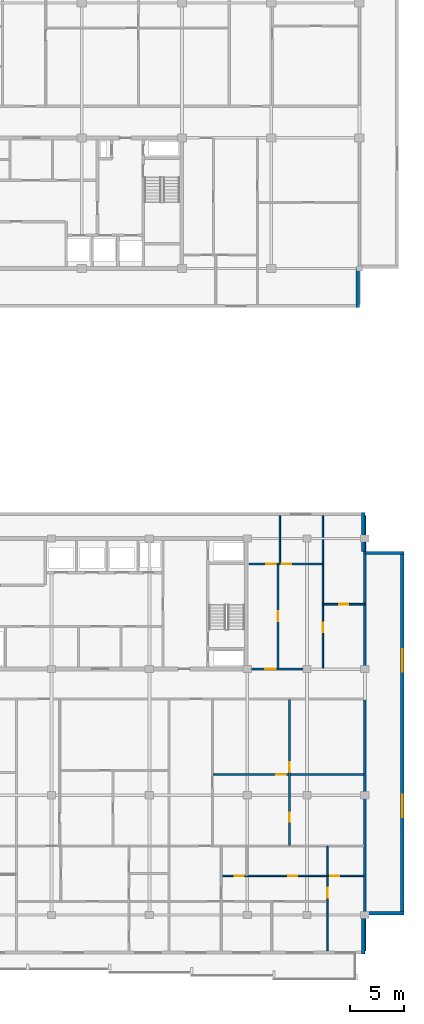
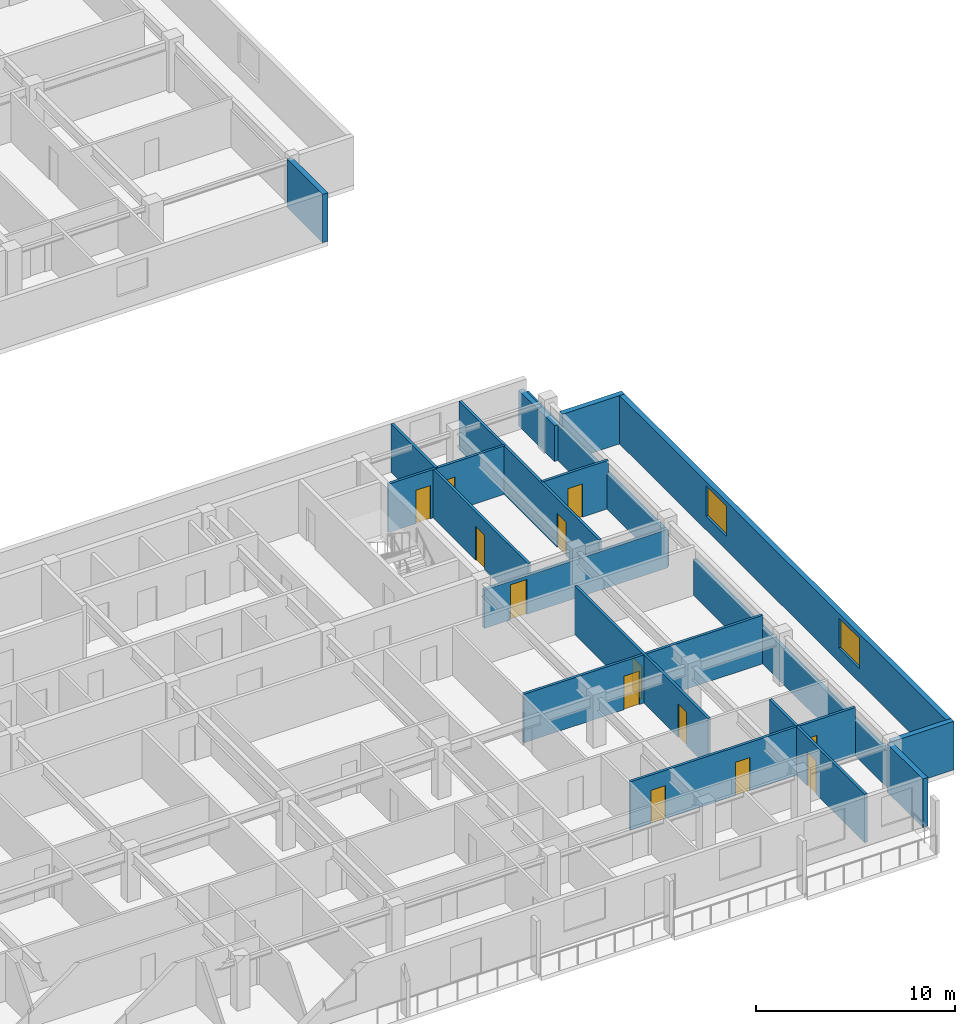
# One storey, part 10 of 22: 19 walls, 13 doors, 2 windows, 15 openings.
"""IFC4 building model written with IfcOpenShell, lengths in metres."""

from ifc_helpers import new_model, si_unit, direction, frame, frame_2d, origin, place, context, subcontext, project, spatial, rectangle, extrude, material, layer, layer_set, type_object, element, fill, save


model = new_model("IFC4")

# Units and contexts
model_context = context("Model", 3, precision=1e-05, world=origin(), true_north=direction((0.0, 1.0)))
body_context = subcontext(model_context, "Body", "Model", "MODEL_VIEW")
ifc_project = project(units=[si_unit("LENGTHUNIT", "METRE"), si_unit("AREAUNIT", "SQUARE_METRE"), si_unit("VOLUMEUNIT", "CUBIC_METRE"), si_unit("PLANEANGLEUNIT", "RADIAN"), si_unit("MASSUNIT", "GRAM", prefix="KILO")], contexts=[model_context])

# Site, building, storey
site_placement = place(None, origin())
site = spatial("IfcSite", under=ifc_project, at=site_placement, CompositionType="ELEMENT")
building_placement = place(site_placement, origin())
building = spatial("IfcBuilding", under=site, at=building_placement, Name="Korimba Cascade Residences", CompositionType="ELEMENT")
storey_placement = place(building_placement, frame((0.0, 0.0, 194.60009765625)))
storey = spatial("IfcBuildingStorey", under=building, at=storey_placement, Name="L56", CompositionType="ELEMENT", Elevation=194.60009765625)

# Walls
ifc_material_1 = material(Name="Precast concrete C40/50", Category="concrete")
ifc_layer_1 = layer(ifc_material_1, 0.300048828125)
ifc_layer_set_1 = layer_set([ifc_layer_1], Name="Precast concrete C40/50")
wall_type_1 = type_object("IfcWallType", Name="EW-STONE-300", PredefinedType="STANDARD", material=ifc_layer_set_1)
wall_1_placement = place(storey_placement, frame((128.25, 51.60009765625, 0.0), z_axis=(0.0, 0.0, 1.0), x_axis=(0.0, 1.0, 0.0)))
element("IfcWall", 1, at=wall_1_placement, inside=storey, type_object=wall_type_1, Name="L56 T1 Perimeter Stone Wall E01", PredefinedType="STANDARD", context=body_context, shape_type="SweptSolid", body=[
    extrude(rectangle(XDim=3.599853515625, YDim=0.300048828125, at=frame_2d((1.7998046875, 0.0))), origin(), (0.0, 0.0, 1.0), 2.969970703125),
])
for number, where, z_axis, x_axis, name in (
    (2, (128.75, -7.800048828125, 0.0), (0.0, 0.0, 1.0), (0.0, 1.0, 0.0), "L56 T2 Perimeter Stone Wall E01"),
    (3, (128.89990234375, -4.050048828125, 0.0), (0.0, 0.0, 1.0), (1.0, 0.0, 0.0), "L56 T2 Perimeter Stone Wall E02"),
):
    element("IfcWall", number, at=place(storey_placement, frame(where, z_axis=z_axis, x_axis=x_axis)), inside=storey, type_object=wall_type_1, Name=name, PredefinedType="STANDARD", context=body_context, shape_type="SweptSolid", body=[
        extrude(rectangle(XDim=3.60009765625, YDim=0.300048828125, at=frame_2d((1.800048828125, 0.0))), origin(), (0.0, 0.0, 1.0), 2.969970703125),
    ])

# Wall, openings, windows
wall_2_placement = place(storey_placement, frame((132.35009765625, -4.199951171875, 0.0), z_axis=(0.0, 0.0, 1.0), x_axis=(0.0, 1.0, 0.0)))
wall_2 = element("IfcWall", 4, at=wall_2_placement, inside=storey, type_object=wall_type_1, Name="L56 T2 Perimeter Stone Wall E03", PredefinedType="STANDARD", context=body_context, shape_type="SweptSolid", body=[
    extrude(rectangle(XDim=33.39990234375, YDim=0.300048828125, at=frame_2d((16.699951171875, 0.0))), origin(), (0.0, 0.0, 1.0), 2.969970703125),
])
opening_1_placement = place(wall_2_placement, frame((8.969970703125, 0.0, 0.85009765625)))
opening_1 = element("IfcOpeningElement", 5, at=opening_1_placement, cuts=wall_2, Name="Opening W-03", PredefinedType="OPENING", context=body_context, shape_type="SweptSolid", body=[
    extrude(rectangle(XDim=2.10009765625, YDim=1.85009765625, at=frame_2d((1.050048828125, 0.925048828125))), frame((0.0, 0.16015625, 0.0), z_axis=(0.0, -1.0, 0.0), x_axis=(1.0, 0.0, 0.0)), (0.0, 0.0, 1.0), 0.320068359375),
])
opening_2_placement = place(wall_2_placement, frame((22.330078125, 0.0, 0.85009765625)))
opening_2 = element("IfcOpeningElement", 6, at=opening_2_placement, cuts=wall_2, Name="Opening W-03", PredefinedType="OPENING", context=body_context, shape_type="SweptSolid", body=[
    extrude(rectangle(XDim=2.10009765625, YDim=1.85009765625, at=frame_2d((1.050048828125, 0.925048828125))), frame((0.0, 0.16015625, 0.0), z_axis=(0.0, -1.0, 0.0), x_axis=(1.0, 0.0, 0.0)), (0.0, 0.0, 1.0), 0.320068359375),
])
ifc_material_2 = material(Name="Double-Glazed Aluminium Window", Category="aluminium")
window_type = type_object("IfcWindowType", Name="WIN-CRN-2100", PartitioningType="DOUBLE_PANEL_HORIZONTAL", PredefinedType="WINDOW", material=ifc_material_2)
window_1_placement = place(opening_1_placement, origin())
window_1 = element("IfcWindow", 7, at=window_1_placement, inside=storey, type_object=window_type, Name="L56 T2 End View Window 3.1", OverallHeight=1.85009765625, OverallWidth=2.10009765625, PartitioningType="DOUBLE_PANEL_HORIZONTAL", PredefinedType="WINDOW", context=body_context, shape_type="SweptSolid", body=[
    extrude(rectangle(XDim=2.10009765625, YDim=1.85009765625, at=frame_2d((1.050048828125, 0.925048828125))), frame((0.0, 0.030029296875, 0.0), z_axis=(0.0, -1.0, 0.0), x_axis=(1.0, 0.0, 0.0)), (0.0, 0.0, 1.0), 0.06005859375),
])
fill(opening_1, window_1)
window_2_placement = place(opening_2_placement, origin())
window_2 = element("IfcWindow", 8, at=window_2_placement, inside=storey, type_object=window_type, Name="L56 T2 End View Window 3.2", OverallHeight=1.85009765625, OverallWidth=2.10009765625, PartitioningType="DOUBLE_PANEL_HORIZONTAL", PredefinedType="WINDOW", context=body_context, shape_type="SweptSolid", body=[
    extrude(rectangle(XDim=2.10009765625, YDim=1.85009765625, at=frame_2d((1.050048828125, 0.925048828125))), frame((0.0, 0.030029296875, 0.0), z_axis=(0.0, -1.0, 0.0), x_axis=(1.0, 0.0, 0.0)), (0.0, 0.0, 1.0), 0.06005859375),
])
fill(opening_2, window_2)

# Walls
wall_3_placement = place(storey_placement, frame((132.5, 29.050048828125, 0.0), z_axis=(0.0, 0.0, 1.0), x_axis=(-1.0, 0.0, 0.0)))
element("IfcWall", 9, at=wall_3_placement, inside=storey, type_object=wall_type_1, Name="L56 T2 Perimeter Stone Wall E04", PredefinedType="STANDARD", context=body_context, shape_type="SweptSolid", body=[
    extrude(rectangle(XDim=3.60009765625, YDim=0.300048828125, at=frame_2d((1.800048828125, 0.0))), origin(), (0.0, 0.0, 1.0), 2.969970703125),
])
wall_4_placement = place(storey_placement, frame((128.75, 29.199951171875, 0.0), z_axis=(0.0, 0.0, 1.0), x_axis=(0.0, 1.0, 0.0)))
element("IfcWall", 10, at=wall_4_placement, inside=storey, type_object=wall_type_1, Name="L56 T2 Perimeter Stone Wall E05", PredefinedType="STANDARD", context=body_context, shape_type="SweptSolid", body=[
    extrude(rectangle(XDim=3.60009765625, YDim=0.300048828125, at=frame_2d((1.800048828125, 0.0))), origin(), (0.0, 0.0, 1.0), 2.2001953125),
])
ifc_layer_2 = layer(ifc_material_1, 0.199951171875)
ifc_layer_set_2 = layer_set([ifc_layer_2], Name="Precast concrete C40/50")
wall_type_2 = type_object("IfcWallType", Name="WAL-IT-200", PredefinedType="PARTITIONING", material=ifc_layer_set_2)
wall_5_placement = place(storey_placement, frame((128.89990234375, 18.39990234375, 0.0), z_axis=(0.0, 0.0, 1.0), x_axis=(0.0, 1.0, 0.0)))
element("IfcWall", 11, at=wall_5_placement, inside=storey, type_object=wall_type_2, Name="L56 Partition Wall WAL-L56-T2-FE-WR", PredefinedType="PARTITIONING", context=body_context, shape_type="SweptSolid", body=[
    extrude(rectangle(XDim=14.10009765625, YDim=0.199951171875, at=frame_2d((7.050048828125, 0.0))), origin(), (0.0, 0.0, 1.0), 2.2001953125),
])

# Wall, opening, door
wall_6_placement = place(storey_placement, frame((118.25, 18.39990234375, 0.0), z_axis=(0.0, 0.0, 1.0), x_axis=(1.0, 0.0, 0.0)))
wall_6 = element("IfcWall", 12, at=wall_6_placement, inside=storey, type_object=wall_type_2, Name="L56 Partition Wall WAL-L56-T2-FE-S", PredefinedType="PARTITIONING", context=body_context, shape_type="SweptSolid", body=[
    extrude(rectangle(XDim=10.64990234375, YDim=0.199951171875, at=frame_2d((5.324951171875, 0.0))), origin(), (0.0, 0.0, 1.0), 2.357666015625),
])
opening_3_placement = place(wall_6_placement, frame((1.510009765625, 0.0, 0.0)))
opening_3 = element("IfcOpeningElement", 13, at=opening_3_placement, cuts=wall_6, Name="Opening D-UN1", PredefinedType="OPENING", context=body_context, shape_type="SweptSolid", body=[
    extrude(rectangle(XDim=0.949951171875, YDim=2.14990234375, at=frame_2d((0.47509765625, 1.074951171875))), frame((0.0, 0.10986328125, 0.0), z_axis=(0.0, -1.0, 0.0), x_axis=(1.0, 0.0, 0.0)), (0.0, 0.0, 1.0), 0.219970703125),
])
ifc_material_3 = material(Name="Fire-Rated Hardwood Apartment Entrance Door", Category="wood")
door_type_1 = type_object("IfcDoorType", Name="DR-FD60-950", OperationType="NOTDEFINED", PredefinedType="DOOR", material=ifc_material_3)
door_1_placement = place(opening_3_placement, origin())
door_1 = element("IfcDoor", 14, at=door_1_placement, inside=storey, type_object=door_type_1, Name="L56-T2-FE Entrance Door", OperationType="SINGLE_SWING_RIGHT", OverallHeight=2.14990234375, OverallWidth=0.949951171875, PredefinedType="DOOR", context=body_context, shape_type="SweptSolid", body=[
    extrude(rectangle(XDim=0.949951171875, YDim=2.14990234375, at=frame_2d((0.47509765625, 1.074951171875))), frame((0.0, 0.02490234375, 0.0), z_axis=(0.0, -1.0, 0.0), x_axis=(1.0, 0.0, 0.0)), (0.0, 0.0, 1.0), 0.050048828125),
])
fill(opening_3, door_1)

# Wall
wall_7_placement = place(storey_placement, frame((128.89990234375, -7.5, 0.0), z_axis=(0.0, 0.0, 1.0), x_axis=(0.0, 1.0, 0.0)))
element("IfcWall", 15, at=wall_7_placement, inside=storey, type_object=wall_type_2, Name="L56 Partition Wall WAL-L56-T2-BNDWR", PredefinedType="PARTITIONING", context=body_context, shape_type="SweptSolid", body=[
    extrude(rectangle(XDim=23.070068359375, YDim=0.199951171875, at=frame_2d((11.53515625, 0.0))), origin(), (0.0, 0.0, 1.0), 2.2001953125),
])

# Wall, opening, door
ifc_material_4 = material(Name="Insulated Acoustic Stud Partition", Category="gypsum")
ifc_layer_3 = layer(ifc_material_4, 0.14990234375)
ifc_layer_set_3 = layer_set([ifc_layer_3], Name="Insulated Acoustic Stud Partition")
wall_type_3 = type_object("IfcWallType", Name="WAL-PART-150", PredefinedType="PARTITIONING", material=ifc_layer_set_3)
wall_8_placement = place(storey_placement, frame((125.050048828125, 24.35009765625, 0.0), z_axis=(0.0, 0.0, 1.0), x_axis=(1.0, 0.0, 0.0)))
wall_8 = element("IfcWall", 16, at=wall_8_placement, inside=storey, type_object=wall_type_3, Name="L56 Partition Wall WAL-L56-T2-FE-STH", PredefinedType="PARTITIONING", context=body_context, shape_type="SweptSolid", body=[
    extrude(rectangle(XDim=3.849853515625, YDim=0.14990234375, at=frame_2d((1.9248046875, 0.0))), origin(), (0.0, 0.0, 1.0), 2.969970703125),
])
opening_4_placement = place(wall_8_placement, frame((1.5048828125, 0.0, 0.0)))
opening_4 = element("IfcOpeningElement", 17, at=opening_4_placement, cuts=wall_8, Name="Opening D-BT1", PredefinedType="OPENING", context=body_context, shape_type="SweptSolid", body=[
    extrude(rectangle(XDim=0.840087890625, YDim=2.0400390625, at=frame_2d((0.419921875, 1.02001953125))), frame((0.0, 0.0849609375, 0.0), z_axis=(0.0, -1.0, 0.0), x_axis=(1.0, 0.0, 0.0)), (0.0, 0.0, 1.0), 0.169921875),
])
ifc_material_5 = material(Name="Moisture-Resistant Bathroom Timber Door", Category="wood")
door_type_2 = type_object("IfcDoorType", Name="DR-INT-850", OperationType="NOTDEFINED", PredefinedType="DOOR", material=ifc_material_5)
door_2_placement = place(opening_4_placement, origin())
door_2 = element("IfcDoor", 18, at=door_2_placement, inside=storey, type_object=door_type_2, Name="L56-T2-FE Dressing Store Door", OperationType="SINGLE_SWING_LEFT", OverallHeight=2.0400390625, OverallWidth=0.840087890625, PredefinedType="DOOR", context=body_context, shape_type="SweptSolid", body=[
    extrude(rectangle(XDim=0.840087890625, YDim=2.0400390625, at=frame_2d((0.419921875, 1.02001953125))), frame((0.0, 0.02490234375, 0.0), z_axis=(0.0, -1.0, 0.0), x_axis=(1.0, 0.0, 0.0)), (0.0, 0.0, 1.0), 0.050048828125),
])
fill(opening_4, door_2)

wall_9_placement = place(storey_placement, frame((125.050048828125, 18.449951171875, 0.0), z_axis=(0.0, 0.0, 1.0), x_axis=(0.0, 1.0, 0.0)))
wall_9 = element("IfcWall", 19, at=wall_9_placement, inside=storey, type_object=wall_type_3, Name="L56 Partition Wall WAL-L56-T2-FE-STV", PredefinedType="PARTITIONING", context=body_context, shape_type="SweptSolid", body=[
    extrude(rectangle(XDim=14.050048828125, YDim=0.14990234375, at=frame_2d((7.02490234375, 0.0))), origin(), (0.0, 0.0, 1.0), 2.969970703125),
])
opening_5_placement = place(wall_9_placement, frame((3.320068359375, 0.0, 0.0)))
opening_5 = element("IfcOpeningElement", 20, at=opening_5_placement, cuts=wall_9, Name="Opening D-IN2", PredefinedType="OPENING", context=body_context, shape_type="SweptSolid", body=[
    extrude(rectangle(XDim=0.8798828125, YDim=2.06005859375, at=frame_2d((0.43994140625, 1.030029296875))), frame((0.0, 0.0849609375, 0.0), z_axis=(0.0, -1.0, 0.0), x_axis=(1.0, 0.0, 0.0)), (0.0, 0.0, 1.0), 0.169921875),
])
ifc_material_6 = material(Name="Acoustic Timber Bedroom Door", Category="wood")
door_type_3 = type_object("IfcDoorType", Name="DR-INT-880", OperationType="NOTDEFINED", PredefinedType="DOOR", material=ifc_material_6)
door_3_placement = place(opening_5_placement, origin())
door_3 = element("IfcDoor", 21, at=door_3_placement, inside=storey, type_object=door_type_3, Name="L56-T2-FE Study Door", OperationType="SINGLE_SWING_RIGHT", OverallHeight=2.06005859375, OverallWidth=0.8798828125, PredefinedType="DOOR", context=body_context, shape_type="SweptSolid", body=[
    extrude(rectangle(XDim=0.8798828125, YDim=2.06005859375, at=frame_2d((0.43994140625, 1.030029296875))), frame((0.0, 0.02490234375, 0.0), z_axis=(0.0, -1.0, 0.0), x_axis=(1.0, 0.0, 0.0)), (0.0, 0.0, 1.0), 0.050048828125),
])
fill(opening_5, door_3)

wall_10_placement = place(storey_placement, frame((120.929931640625, 18.449951171875, 0.0), z_axis=(0.0, 0.0, 1.0), x_axis=(0.0, 1.0, 0.0)))
wall_10 = element("IfcWall", 22, at=wall_10_placement, inside=storey, type_object=wall_type_3, Name="L56 Partition Wall WAL-L56-T2-FE-VS", PredefinedType="PARTITIONING", context=body_context, shape_type="SweptSolid", body=[
    extrude(rectangle(XDim=9.60009765625, YDim=0.14990234375, at=frame_2d((4.800048828125, 0.0))), origin(), (0.0, 0.0, 1.0), 2.969970703125),
])
opening_6_placement = place(wall_10_placement, frame((4.340087890625, 0.0, 0.0)))
opening_6 = element("IfcOpeningElement", 23, at=opening_6_placement, cuts=wall_10, Name="Opening D-IN1", PredefinedType="OPENING", context=body_context, shape_type="SweptSolid", body=[
    extrude(rectangle(XDim=0.919921875, YDim=2.080078125, at=frame_2d((0.4599609375, 1.0400390625))), frame((0.0, 0.0849609375, 0.0), z_axis=(0.0, -1.0, 0.0), x_axis=(1.0, 0.0, 0.0)), (0.0, 0.0, 1.0), 0.169921875),
])
ifc_material_7 = material(Name="Acoustic Timber Living Door", Category="wood")
door_type_4 = type_object("IfcDoorType", Name="DR-INT-920", OperationType="NOTDEFINED", PredefinedType="DOOR", material=ifc_material_7)
door_4_placement = place(opening_6_placement, origin())
door_4 = element("IfcDoor", 24, at=door_4_placement, inside=storey, type_object=door_type_4, Name="L56-T2-FE Living Door", OperationType="SINGLE_SWING_LEFT", OverallHeight=2.080078125, OverallWidth=0.919921875, PredefinedType="DOOR", context=body_context, shape_type="SweptSolid", body=[
    extrude(rectangle(XDim=0.919921875, YDim=2.080078125, at=frame_2d((0.4599609375, 1.0400390625))), frame((0.0, 0.02490234375, 0.0), z_axis=(0.0, -1.0, 0.0), x_axis=(1.0, 0.0, 0.0)), (0.0, 0.0, 1.0), 0.050048828125),
])
fill(opening_6, door_4)

# Wall
wall_11_placement = place(storey_placement, frame((121.10009765625, 28.050048828125, 0.0), z_axis=(0.0, 0.0, 1.0), x_axis=(0.0, 1.0, 0.0)))
element("IfcWall", 25, at=wall_11_placement, inside=storey, type_object=wall_type_3, Name="L56 Partition Wall WAL-L56-T2-FE-VN", PredefinedType="PARTITIONING", context=body_context, shape_type="SweptSolid", body=[
    extrude(rectangle(XDim=4.449951171875, YDim=0.14990234375, at=frame_2d((2.22509765625, 0.0))), origin(), (0.0, 0.0, 1.0), 2.969970703125),
])

# Wall, openings, doors
wall_12_placement = place(storey_placement, frame((118.27001953125, 28.050048828125, 0.0), z_axis=(0.0, 0.0, 1.0), x_axis=(1.0, 0.0, 0.0)))
wall_12 = element("IfcWall", 26, at=wall_12_placement, inside=storey, type_object=wall_type_3, Name="L56 Partition Wall WAL-L56-T2-FE-H", PredefinedType="PARTITIONING", context=body_context, shape_type="SweptSolid", body=[
    extrude(rectangle(XDim=6.760009765625, YDim=0.14990234375, at=frame_2d((3.3798828125, 0.0))), origin(), (0.0, 0.0, 1.0), 2.969970703125),
])
opening_7_placement = place(wall_12_placement, frame((1.58740234375, 0.0, 0.0)))
opening_7 = element("IfcOpeningElement", 27, at=opening_7_placement, cuts=wall_12, Name="Opening D-BT1", PredefinedType="OPENING", context=body_context, shape_type="SweptSolid", body=[
    extrude(rectangle(XDim=0.840087890625, YDim=2.0400390625, at=frame_2d((0.419921875, 1.02001953125))), frame((0.0, 0.0849609375, 0.0), z_axis=(0.0, -1.0, 0.0), x_axis=(1.0, 0.0, 0.0)), (0.0, 0.0, 1.0), 0.169921875),
])
opening_8_placement = place(wall_12_placement, frame((2.988037109375, 0.0, 0.0)))
opening_8 = element("IfcOpeningElement", 28, at=opening_8_placement, cuts=wall_12, Name="Opening D-IN2", PredefinedType="OPENING", context=body_context, shape_type="SweptSolid", body=[
    extrude(rectangle(XDim=0.8798828125, YDim=2.06005859375, at=frame_2d((0.43994140625, 1.030029296875))), frame((0.0, 0.0849609375, 0.0), z_axis=(0.0, -1.0, 0.0), x_axis=(1.0, 0.0, 0.0)), (0.0, 0.0, 1.0), 0.169921875),
])
door_5_placement = place(opening_7_placement, origin())
door_5 = element("IfcDoor", 29, at=door_5_placement, inside=storey, type_object=door_type_2, Name="L56-T2-FE Bathroom Door", OperationType="SINGLE_SWING_RIGHT", OverallHeight=2.0400390625, OverallWidth=0.840087890625, PredefinedType="DOOR", context=body_context, shape_type="SweptSolid", body=[
    extrude(rectangle(XDim=0.840087890625, YDim=2.0400390625, at=frame_2d((0.419921875, 1.02001953125))), frame((0.0, 0.02490234375, 0.0), z_axis=(0.0, -1.0, 0.0), x_axis=(1.0, 0.0, 0.0)), (0.0, 0.0, 1.0), 0.050048828125),
])
fill(opening_7, door_5)
door_6_placement = place(opening_8_placement, origin())
door_6 = element("IfcDoor", 30, at=door_6_placement, inside=storey, type_object=door_type_3, Name="L56-T2-FE Bedroom Door", OperationType="SINGLE_SWING_LEFT", OverallHeight=2.06005859375, OverallWidth=0.8798828125, PredefinedType="DOOR", context=body_context, shape_type="SweptSolid", body=[
    extrude(rectangle(XDim=0.8798828125, YDim=2.06005859375, at=frame_2d((0.43994140625, 1.030029296875))), frame((0.0, 0.02490234375, 0.0), z_axis=(0.0, -1.0, 0.0), x_axis=(1.0, 0.0, 0.0)), (0.0, 0.0, 1.0), 0.050048828125),
])
fill(opening_8, door_6)

wall_13_placement = place(storey_placement, frame((121.985595703125, 2.18994140625, 0.0), z_axis=(0.0, 0.0, 1.0), x_axis=(0.0, 1.0, 0.0)))
wall_13 = element("IfcWall", 31, at=wall_13_placement, inside=storey, type_object=wall_type_3, Name="L56 Partition Wall WAL-L56-T2-U03-FMV", PredefinedType="PARTITIONING", context=body_context, shape_type="SweptSolid", body=[
    extrude(rectangle(XDim=13.400146484375, YDim=0.14990234375, at=frame_2d((6.7001953125, 0.0))), origin(), (0.0, 0.0, 1.0), 2.969970703125),
])
opening_9_placement = place(wall_13_placement, frame((2.1787109375, 0.0, 0.0)))
opening_9 = element("IfcOpeningElement", 32, at=opening_9_placement, cuts=wall_13, Name="Opening D-BT1", PredefinedType="OPENING", context=body_context, shape_type="SweptSolid", body=[
    extrude(rectangle(XDim=0.840087890625, YDim=2.0400390625, at=frame_2d((0.419921875, 1.02001953125))), frame((0.0, 0.0849609375, 0.0), z_axis=(0.0, -1.0, 0.0), x_axis=(1.0, 0.0, 0.0)), (0.0, 0.0, 1.0), 0.169921875),
])
opening_10_placement = place(wall_13_placement, frame((6.77001953125, 0.0, 0.0)))
opening_10 = element("IfcOpeningElement", 33, at=opening_10_placement, cuts=wall_13, Name="Opening D-IN2", PredefinedType="OPENING", context=body_context, shape_type="SweptSolid", body=[
    extrude(rectangle(XDim=0.8798828125, YDim=2.06005859375, at=frame_2d((0.43994140625, 1.030029296875))), frame((0.0, 0.0849609375, 0.0), z_axis=(0.0, -1.0, 0.0), x_axis=(1.0, 0.0, 0.0)), (0.0, 0.0, 1.0), 0.169921875),
])
door_7_placement = place(opening_9_placement, origin())
door_7 = element("IfcDoor", 34, at=door_7_placement, inside=storey, type_object=door_type_2, Name="L56-T2-U03 Wardrobe Door", OperationType="SINGLE_SWING_RIGHT", OverallHeight=2.0400390625, OverallWidth=0.840087890625, PredefinedType="DOOR", context=body_context, shape_type="SweptSolid", body=[
    extrude(rectangle(XDim=0.840087890625, YDim=2.0400390625, at=frame_2d((0.419921875, 1.02001953125))), frame((0.0, 0.02490234375, 0.0), z_axis=(0.0, -1.0, 0.0), x_axis=(1.0, 0.0, 0.0)), (0.0, 0.0, 1.0), 0.050048828125),
])
fill(opening_9, door_7)
door_8_placement = place(opening_10_placement, origin())
door_8 = element("IfcDoor", 35, at=door_8_placement, inside=storey, type_object=door_type_3, Name="L56-T2-U03 Music Lounge Door", OperationType="SINGLE_SWING_LEFT", OverallHeight=2.06005859375, OverallWidth=0.8798828125, PredefinedType="DOOR", context=body_context, shape_type="SweptSolid", body=[
    extrude(rectangle(XDim=0.8798828125, YDim=2.06005859375, at=frame_2d((0.43994140625, 1.030029296875))), frame((0.0, 0.02490234375, 0.0), z_axis=(0.0, -1.0, 0.0), x_axis=(1.0, 0.0, 0.0)), (0.0, 0.0, 1.0), 0.050048828125),
])
fill(opening_10, door_8)

# Wall, opening, door
wall_14_placement = place(storey_placement, frame((114.951416015625, 8.7099609375, 0.0), z_axis=(0.0, 0.0, 1.0), x_axis=(1.0, 0.0, 0.0)))
wall_14 = element("IfcWall", 36, at=wall_14_placement, inside=storey, type_object=wall_type_3, Name="L56 Partition Wall WAL-L56-T2-U03-FMH", PredefinedType="PARTITIONING", context=body_context, shape_type="SweptSolid", body=[
    extrude(rectangle(XDim=13.86865234375, YDim=0.14990234375, at=frame_2d((6.934326171875, 0.0))), origin(), (0.0, 0.0, 1.0), 2.969970703125),
])
opening_11_placement = place(wall_14_placement, frame((5.822509765625, 0.0, 0.0)))
opening_11 = element("IfcOpeningElement", 37, at=opening_11_placement, cuts=wall_14, Name="Opening D-IN2", PredefinedType="OPENING", context=body_context, shape_type="SweptSolid", body=[
    extrude(rectangle(XDim=0.8798828125, YDim=2.06005859375, at=frame_2d((0.43994140625, 1.030029296875))), frame((0.0, 0.0849609375, 0.0), z_axis=(0.0, -1.0, 0.0), x_axis=(1.0, 0.0, 0.0)), (0.0, 0.0, 1.0), 0.169921875),
])
door_9_placement = place(opening_11_placement, origin())
door_9 = element("IfcDoor", 38, at=door_9_placement, inside=storey, type_object=door_type_3, Name="L56-T2-U03 Library Salon Door", OperationType="SINGLE_SWING_RIGHT", OverallHeight=2.06005859375, OverallWidth=0.8798828125, PredefinedType="DOOR", context=body_context, shape_type="SweptSolid", body=[
    extrude(rectangle(XDim=0.8798828125, YDim=2.06005859375, at=frame_2d((0.43994140625, 1.030029296875))), frame((0.0, 0.02490234375, 0.0), z_axis=(0.0, -1.0, 0.0), x_axis=(1.0, 0.0, 0.0)), (0.0, 0.0, 1.0), 0.050048828125),
])
fill(opening_11, door_9)

# Wall
wall_15_placement = place(storey_placement, frame((125.47998046875, -0.580078125, 0.0), z_axis=(0.0, 0.0, 1.0), x_axis=(0.0, 1.0, 0.0)))
element("IfcWall", 39, at=wall_15_placement, inside=storey, type_object=wall_type_3, Name="L56 Partition Wall WAL-L56-T2-U03-VBATH", PredefinedType="PARTITIONING", context=body_context, shape_type="SweptSolid", body=[
    extrude(rectangle(XDim=2.690185546875, YDim=0.14990234375, at=frame_2d((1.34521484375, 0.0))), origin(), (0.0, 0.0, 1.0), 2.969970703125),
])

# Wall, opening, door
wall_16_placement = place(storey_placement, frame((125.47998046875, -7.5, 0.0), z_axis=(0.0, 0.0, 1.0), x_axis=(0.0, 1.0, 0.0)))
wall_16 = element("IfcWall", 40, at=wall_16_placement, inside=storey, type_object=wall_type_3, Name="L56 Partition Wall WAL-L56-T2-U03-V2FULL", PredefinedType="PARTITIONING", context=body_context, shape_type="SweptSolid", body=[
    extrude(rectangle(XDim=6.8798828125, YDim=0.14990234375, at=frame_2d((3.43994140625, 0.0))), origin(), (0.0, 0.0, 1.0), 2.969970703125),
])
opening_12_placement = place(wall_16_placement, frame((4.8701171875, 0.0, 0.0)))
opening_12 = element("IfcOpeningElement", 41, at=opening_12_placement, cuts=wall_16, Name="Opening D-IN1", PredefinedType="OPENING", context=body_context, shape_type="SweptSolid", body=[
    extrude(rectangle(XDim=0.919921875, YDim=2.080078125, at=frame_2d((0.4599609375, 1.0400390625))), frame((0.0, 0.0849609375, 0.0), z_axis=(0.0, -1.0, 0.0), x_axis=(1.0, 0.0, 0.0)), (0.0, 0.0, 1.0), 0.169921875),
])
door_10_placement = place(opening_12_placement, origin())
door_10 = element("IfcDoor", 42, at=door_10_placement, inside=storey, type_object=door_type_4, Name="L56-T2-U03 Master Bedroom Door", OperationType="SINGLE_SWING_LEFT", OverallHeight=2.080078125, OverallWidth=0.919921875, PredefinedType="DOOR", context=body_context, shape_type="SweptSolid", body=[
    extrude(rectangle(XDim=0.919921875, YDim=2.080078125, at=frame_2d((0.4599609375, 1.0400390625))), frame((0.0, 0.02490234375, 0.0), z_axis=(0.0, -1.0, 0.0), x_axis=(1.0, 0.0, 0.0)), (0.0, 0.0, 1.0), 0.050048828125),
])
fill(opening_12, door_10)

# Wall, openings, doors
wall_17_placement = place(storey_placement, frame((115.75146484375, -0.60009765625, 0.0), z_axis=(0.0, 0.0, 1.0), x_axis=(1.0, 0.0, 0.0)))
wall_17 = element("IfcWall", 43, at=wall_17_placement, inside=storey, type_object=wall_type_3, Name="L56 Partition Wall WAL-L56-T2-U03-HWALL", PredefinedType="PARTITIONING", context=body_context, shape_type="SweptSolid", body=[
    extrude(rectangle(XDim=13.068603515625, YDim=0.14990234375, at=frame_2d((6.5341796875, 0.0))), origin(), (0.0, 0.0, 1.0), 2.969970703125),
])
opening_13_placement = place(wall_17_placement, frame((1.19091796875, 0.0, 0.0)))
opening_13 = element("IfcOpeningElement", 44, at=opening_13_placement, cuts=wall_17, Name="Opening D-BT1", PredefinedType="OPENING", context=body_context, shape_type="SweptSolid", body=[
    extrude(rectangle(XDim=0.840087890625, YDim=2.0400390625, at=frame_2d((0.419921875, 1.02001953125))), frame((0.0, 0.0849609375, 0.0), z_axis=(0.0, -1.0, 0.0), x_axis=(1.0, 0.0, 0.0)), (0.0, 0.0, 1.0), 0.169921875),
])
opening_14_placement = place(wall_17_placement, frame((6.1142578125, 0.0, 0.0)))
opening_14 = element("IfcOpeningElement", 45, at=opening_14_placement, cuts=wall_17, Name="Opening D-BT1", PredefinedType="OPENING", context=body_context, shape_type="SweptSolid", body=[
    extrude(rectangle(XDim=0.840087890625, YDim=2.0400390625, at=frame_2d((0.419921875, 1.02001953125))), frame((0.0, 0.0849609375, 0.0), z_axis=(0.0, -1.0, 0.0), x_axis=(1.0, 0.0, 0.0)), (0.0, 0.0, 1.0), 0.169921875),
])
opening_15_placement = place(wall_17_placement, frame((9.978515625, 0.0, 0.0)))
opening_15 = element("IfcOpeningElement", 46, at=opening_15_placement, cuts=wall_17, Name="Opening D-BT1", PredefinedType="OPENING", context=body_context, shape_type="SweptSolid", body=[
    extrude(rectangle(XDim=0.840087890625, YDim=2.0400390625, at=frame_2d((0.419921875, 1.02001953125))), frame((0.0, 0.0849609375, 0.0), z_axis=(0.0, -1.0, 0.0), x_axis=(1.0, 0.0, 0.0)), (0.0, 0.0, 1.0), 0.169921875),
])
door_11_placement = place(opening_13_placement, origin())
door_11 = element("IfcDoor", 47, at=door_11_placement, inside=storey, type_object=door_type_2, Name="L56-T2-U03 Family Bathroom Door", OperationType="SINGLE_SWING_RIGHT", OverallHeight=2.0400390625, OverallWidth=0.840087890625, PredefinedType="DOOR", context=body_context, shape_type="SweptSolid", body=[
    extrude(rectangle(XDim=0.840087890625, YDim=2.0400390625, at=frame_2d((0.419921875, 1.02001953125))), frame((0.0, 0.02490234375, 0.0), z_axis=(0.0, -1.0, 0.0), x_axis=(1.0, 0.0, 0.0)), (0.0, 0.0, 1.0), 0.050048828125),
])
fill(opening_13, door_11)
door_12_placement = place(opening_14_placement, origin())
door_12 = element("IfcDoor", 48, at=door_12_placement, inside=storey, type_object=door_type_2, Name="L56-T2-U03 Dressing Room Door", OperationType="SINGLE_SWING_LEFT", OverallHeight=2.0400390625, OverallWidth=0.840087890625, PredefinedType="DOOR", context=body_context, shape_type="SweptSolid", body=[
    extrude(rectangle(XDim=0.840087890625, YDim=2.0400390625, at=frame_2d((0.419921875, 1.02001953125))), frame((0.0, 0.02490234375, 0.0), z_axis=(0.0, -1.0, 0.0), x_axis=(1.0, 0.0, 0.0)), (0.0, 0.0, 1.0), 0.050048828125),
])
fill(opening_14, door_12)
door_13_placement = place(opening_15_placement, origin())
door_13 = element("IfcDoor", 49, at=door_13_placement, inside=storey, type_object=door_type_2, Name="L56-T2-U03 En-Suite Door", OperationType="SINGLE_SWING_RIGHT", OverallHeight=2.0400390625, OverallWidth=0.840087890625, PredefinedType="DOOR", context=body_context, shape_type="SweptSolid", body=[
    extrude(rectangle(XDim=0.840087890625, YDim=2.0400390625, at=frame_2d((0.419921875, 1.02001953125))), frame((0.0, 0.02490234375, 0.0), z_axis=(0.0, -1.0, 0.0), x_axis=(1.0, 0.0, 0.0)), (0.0, 0.0, 1.0), 0.050048828125),
])
fill(opening_15, door_13)

save(model, "model.ifc")
